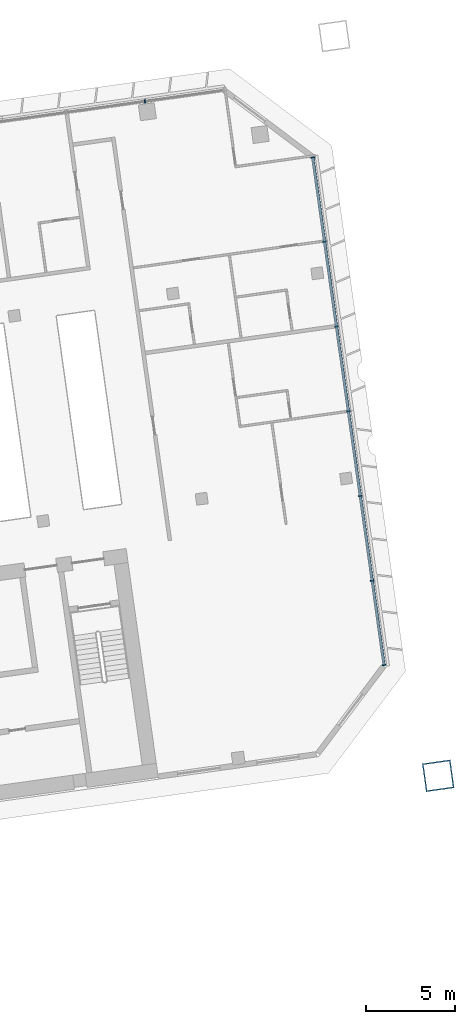
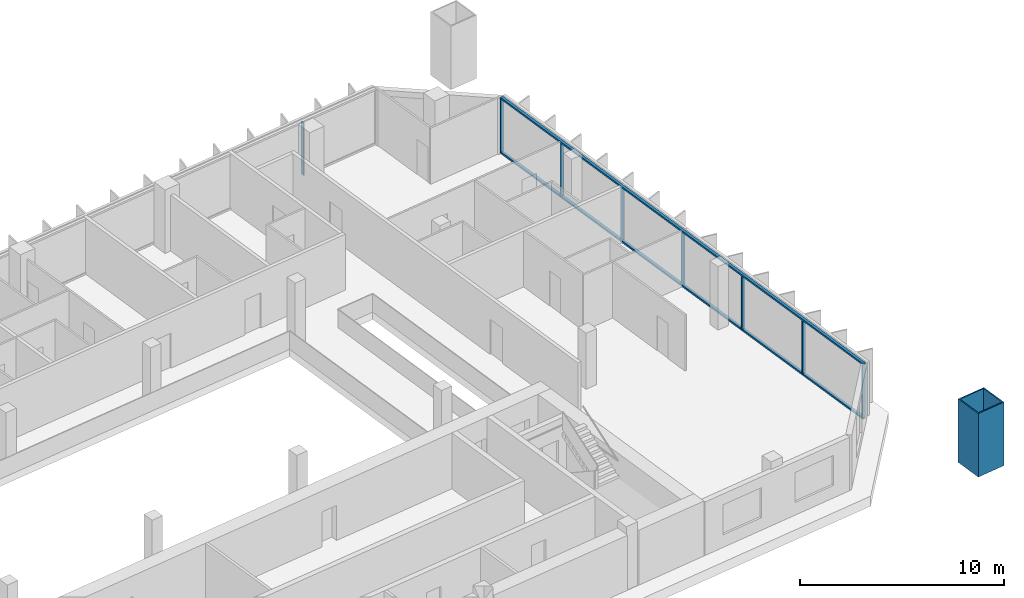
# One storey, part 11 of 26: 11 members, 2 elements without a shape of their own.
"""IFC4 building model written with IfcOpenShell, lengths in metres."""

from ifc_helpers import new_model, si_unit, direction, frame, origin, origin_2d, place, context, subcontext, project, spatial, rectangle, hollow_rectangle, extrude, material, material_profile, profile_set, type_object, element, aggregate, save


model = new_model("IFC4")

# Units and contexts
model_context = context("Model", 3, precision=1e-05, world=origin(), true_north=direction((0.0, 1.0)))
body_context = subcontext(model_context, "Body", "Model", "MODEL_VIEW")
ifc_project = project(units=[si_unit("LENGTHUNIT", "METRE"), si_unit("AREAUNIT", "SQUARE_METRE"), si_unit("VOLUMEUNIT", "CUBIC_METRE"), si_unit("PLANEANGLEUNIT", "RADIAN"), si_unit("MASSUNIT", "GRAM", prefix="KILO")], contexts=[model_context])

# Site, building, storey
site_placement = place(None, origin())
site = spatial("IfcSite", under=ifc_project, at=site_placement, CompositionType="ELEMENT")
building_placement = place(site_placement, origin())
building = spatial("IfcBuilding", under=site, at=building_placement, Name="Mirante Cascada Hotel Towers", CompositionType="ELEMENT")
storey_placement = place(building_placement, frame((0.0, 0.0, 144.3)))
storey = spatial("IfcBuildingStorey", under=building, at=storey_placement, Name="L33", CompositionType="ELEMENT", Elevation=144.3)

# Member
ifc_material_1 = material(Name="Steel ASTM A572 Gr 50", Category="steel")
ifc_material_profile_1 = material_profile(ifc_material_1, hollow_rectangle(XDim=1.6, YDim=1.6, WallThickness=0.07, at=origin_2d()), Name="Box post 1600x1600x70 ASTM A572 Gr 50")
ifc_profile_set_1 = profile_set([ifc_material_profile_1], Name="Steel ASTM A572 Gr 50")
member_type_1 = type_object("IfcMemberType", Name="Box post 1600x1600x70 ASTM A572 Gr 50", PredefinedType="POST", material=ifc_profile_set_1)
member_1_placement = place(storey_placement, frame((106.2025, -12.4968, 0.0), z_axis=(0.0, 0.0, 1.0), x_axis=(0.9902681, 0.1391731, 0.0)))
element("IfcMember", 1, at=member_1_placement, inside=storey, type_object=member_type_1, Name="Mega column MP4 T2 L33", PredefinedType="POST", context=body_context, shape_type="SweptSolid", body=[
    extrude(hollow_rectangle(XDim=1.6, YDim=1.6, WallThickness=0.07, at=origin_2d()), origin(), (0.0, 0.0, 1.0), 3.8),
])

# Curtain wall, member
ifc_material_2 = material(Name="Aluminium mullion and transom frame with clear laminated glass", Category="aluminium")
curtain_wall_type_1 = type_object("IfcCurtainWallType", Name="Ribbon curtain wall ECW1", PredefinedType="NOTDEFINED", material=ifc_material_2)
curtain_wall_1_placement = place(storey_placement, origin())
curtain_wall_1 = element("IfcCurtainWall", 2, at=curtain_wall_1_placement, inside=storey, type_object=curtain_wall_type_1, Name="Front ribbon wall T2 L33", PredefinedType="NOTDEFINED")
ifc_material_3 = material(Name="Anodised aluminium extrusion", Category="aluminium")
ifc_material_profile_2 = material_profile(ifc_material_3, rectangle(XDim=0.2, YDim=0.065, at=origin_2d()), Name="ECW1 MULLION 65x200")
ifc_profile_set_2 = profile_set([ifc_material_profile_2], Name="Anodised aluminium extrusion")
member_type_2 = type_object("IfcMemberType", Name="ECW1 mullion 65x200", PredefinedType="MULLION", material=ifc_profile_set_2)
member_2_placement = place(storey_placement, frame((89.7107, 25.427, 0.1), z_axis=(0.0, 0.0, 1.0), x_axis=(0.1391731, -0.9902681, 0.0)))
member_2 = element("IfcMember", 3, at=member_2_placement, type_object=member_type_2, Name="ECW1 mullion 2", PredefinedType="MULLION", context=body_context, shape_type="SweptSolid", body=[
    extrude(rectangle(XDim=0.2, YDim=0.065, at=origin_2d()), origin(), (0.0, 0.0, 1.0), 3.15),
])
aggregate(curtain_wall_1, [member_2])

# Curtain wall, members
ifc_material_4 = material(Name="Aluminium mullion and transom frame with clear laminated glass", Category="aluminium")
curtain_wall_type_2 = type_object("IfcCurtainWallType", Name="End ribbon curtain wall ECW2", PredefinedType="NOTDEFINED", material=ifc_material_4)
curtain_wall_2_placement = place(storey_placement, origin())
curtain_wall_2 = element("IfcCurtainWall", 4, at=curtain_wall_2_placement, inside=storey, type_object=curtain_wall_type_2, Name="Outer end wall T2 L33", PredefinedType="NOTDEFINED")
ifc_material_5 = material(Name="Anodised aluminium extrusion", Category="aluminium")
ifc_material_profile_3 = material_profile(ifc_material_5, rectangle(XDim=0.2, YDim=0.065, at=origin_2d()), Name="ECW2 MULLION 65x200")
ifc_profile_set_3 = profile_set([ifc_material_profile_3], Name="Anodised aluminium extrusion")
member_type_3 = type_object("IfcMemberType", Name="ECW2 mullion 65x200", PredefinedType="MULLION", material=ifc_profile_set_3)
member_3_placement = place(storey_placement, frame((103.1556, -6.2656, 0.1), z_axis=(0.0, 0.0, 1.0), x_axis=(-0.9902681, -0.1391731, 0.0)))
member_3 = element("IfcMember", 5, at=member_3_placement, type_object=member_type_3, Name="ECW2 mullion 1", PredefinedType="MULLION", context=body_context, shape_type="SweptSolid", body=[
    extrude(rectangle(XDim=0.2, YDim=0.065, at=origin_2d()), origin(), (0.0, 0.0, 1.0), 3.15),
])
member_4_placement = place(storey_placement, frame((102.4903, -1.532, 0.1), z_axis=(0.0, 0.0, 1.0), x_axis=(-0.9902681, -0.1391731, 0.0)))
member_4 = element("IfcMember", 6, at=member_4_placement, type_object=member_type_3, Name="ECW2 mullion 2", PredefinedType="MULLION", context=body_context, shape_type="SweptSolid", body=[
    extrude(rectangle(XDim=0.2, YDim=0.065, at=origin_2d()), origin(), (0.0, 0.0, 1.0), 3.15),
])
member_5_placement = place(storey_placement, frame((101.8205, 3.2338, 0.1), z_axis=(0.0, 0.0, 1.0), x_axis=(-0.9902681, -0.1391731, 0.0)))
member_5 = element("IfcMember", 7, at=member_5_placement, type_object=member_type_3, Name="ECW2 mullion 3", PredefinedType="MULLION", context=body_context, shape_type="SweptSolid", body=[
    extrude(rectangle(XDim=0.2, YDim=0.065, at=origin_2d()), origin(), (0.0, 0.0, 1.0), 3.15),
])
member_6_placement = place(storey_placement, frame((101.1508, 7.9996, 0.1), z_axis=(0.0, 0.0, 1.0), x_axis=(-0.9902681, -0.1391731, 0.0)))
member_6 = element("IfcMember", 8, at=member_6_placement, type_object=member_type_3, Name="ECW2 mullion 4", PredefinedType="MULLION", context=body_context, shape_type="SweptSolid", body=[
    extrude(rectangle(XDim=0.2, YDim=0.065, at=origin_2d()), origin(), (0.0, 0.0, 1.0), 3.15),
])
member_7_placement = place(storey_placement, frame((100.481, 12.7654, 0.1), z_axis=(0.0, 0.0, 1.0), x_axis=(-0.9902681, -0.1391731, 0.0)))
member_7 = element("IfcMember", 9, at=member_7_placement, type_object=member_type_3, Name="ECW2 mullion 5", PredefinedType="MULLION", context=body_context, shape_type="SweptSolid", body=[
    extrude(rectangle(XDim=0.2, YDim=0.065, at=origin_2d()), origin(), (0.0, 0.0, 1.0), 3.15),
])
member_8_placement = place(storey_placement, frame((99.8112, 17.5312, 0.1), z_axis=(0.0, 0.0, 1.0), x_axis=(-0.9902681, -0.1391731, 0.0)))
member_8 = element("IfcMember", 10, at=member_8_placement, type_object=member_type_3, Name="ECW2 mullion 6", PredefinedType="MULLION", context=body_context, shape_type="SweptSolid", body=[
    extrude(rectangle(XDim=0.2, YDim=0.065, at=origin_2d()), origin(), (0.0, 0.0, 1.0), 3.15),
])
member_9_placement = place(storey_placement, frame((99.1459, 22.2648, 0.1), z_axis=(0.0, 0.0, 1.0), x_axis=(-0.9902681, -0.1391731, 0.0)))
member_9 = element("IfcMember", 11, at=member_9_placement, type_object=member_type_3, Name="ECW2 mullion 7", PredefinedType="MULLION", context=body_context, shape_type="SweptSolid", body=[
    extrude(rectangle(XDim=0.2, YDim=0.065, at=origin_2d()), origin(), (0.0, 0.0, 1.0), 3.15),
])
ifc_material_6 = material(Name="Anodised aluminium extrusion", Category="aluminium")
ifc_material_profile_4 = material_profile(ifc_material_6, rectangle(XDim=0.16, YDim=0.1, at=origin_2d()), Name="ECW2 TRANSOM 100x160")
ifc_profile_set_4 = profile_set([ifc_material_profile_4], Name="Anodised aluminium extrusion")
member_type_4 = type_object("IfcMemberType", Name="ECW2 transom 100x160", PredefinedType="USERDEFINED", material=ifc_profile_set_4)
member_10_placement = place(storey_placement, frame((103.1601, -6.2978, 0.05), z_axis=(-0.1391723, 0.9902682, 0.0), x_axis=(-0.9902682, -0.1391723, 0.0)))
member_10 = element("IfcMember", 12, at=member_10_placement, type_object=member_type_4, Name="ECW2 sill transom", ObjectType="TRANSOM", PredefinedType="USERDEFINED", context=body_context, shape_type="SweptSolid", body=[
    extrude(rectangle(XDim=0.16, YDim=0.1, at=origin_2d()), origin(), (0.0, 0.0, 1.0), 28.8757),
])
member_11_placement = place(storey_placement, frame((103.1601, -6.2978, 3.3), z_axis=(-0.1391723, 0.9902682, 0.0), x_axis=(-0.9902682, -0.1391723, 0.0)))
member_11 = element("IfcMember", 13, at=member_11_placement, type_object=member_type_4, Name="ECW2 head transom", ObjectType="TRANSOM", PredefinedType="USERDEFINED", context=body_context, shape_type="SweptSolid", body=[
    extrude(rectangle(XDim=0.16, YDim=0.1, at=origin_2d()), origin(), (0.0, 0.0, 1.0), 28.8757),
])
aggregate(curtain_wall_2, [member_10, member_11, member_3, member_4, member_5, member_6, member_7, member_8, member_9])

save(model, "model.ifc")
